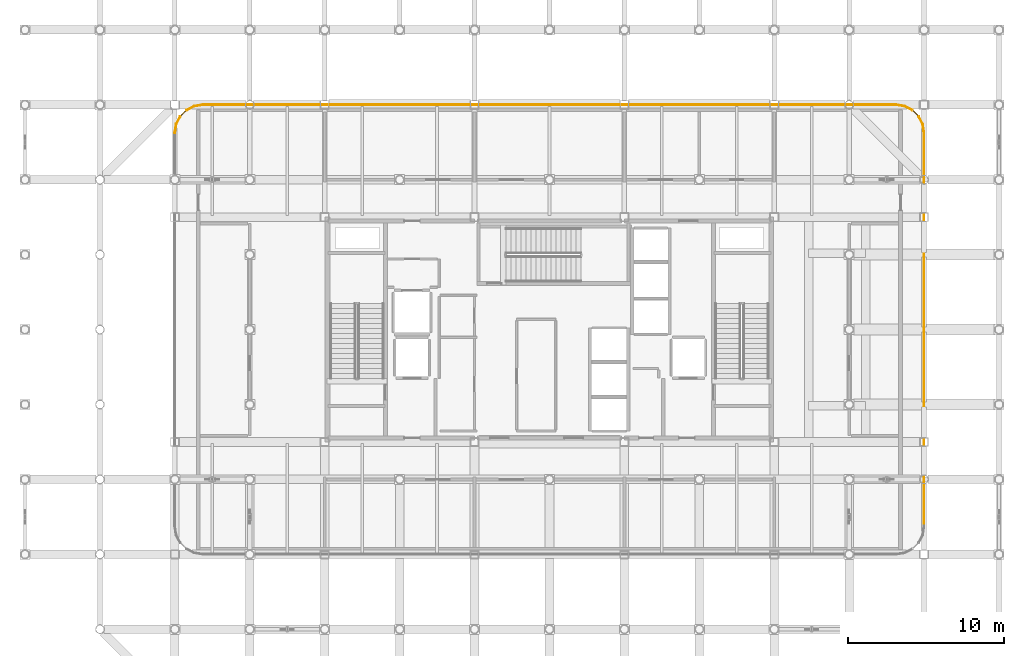
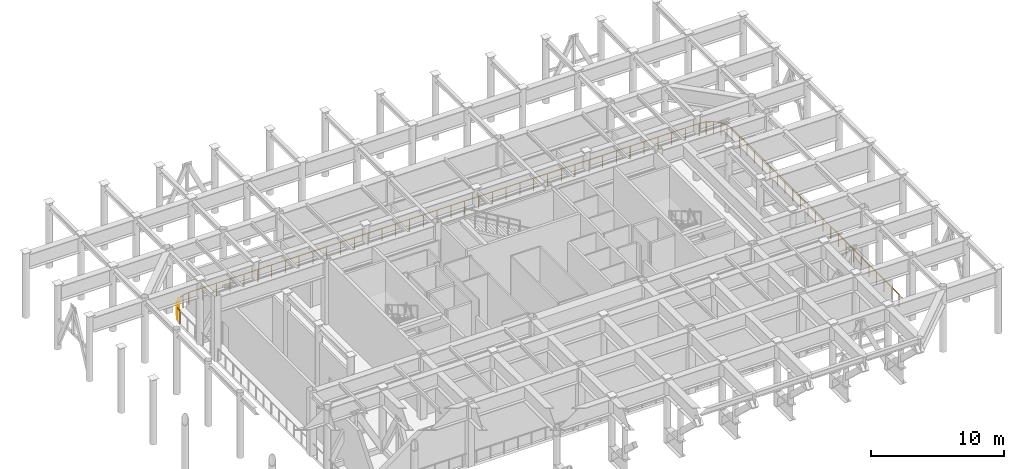
# One storey, part 20 of 20: 12 railings.
"""IFC4 building model written with IfcOpenShell, lengths in metres."""

from ifc_helpers import new_model, si_unit, direction, frame, origin, origin_2d, place, context, subcontext, project, spatial, circle, extrude, material, layer, layer_set, type_object, element, save


model = new_model("IFC4")

# Units and contexts
model_context = context("Model", 3, precision=1e-05, world=origin(), true_north=direction((0.0, 1.0)))
body_context = subcontext(model_context, "Body", "Model", "MODEL_VIEW")
ifc_project = project(units=[si_unit("LENGTHUNIT", "METRE"), si_unit("AREAUNIT", "SQUARE_METRE"), si_unit("VOLUMEUNIT", "CUBIC_METRE"), si_unit("PLANEANGLEUNIT", "RADIAN"), si_unit("MASSUNIT", "GRAM", prefix="KILO")], contexts=[model_context])

# Site, building, storey
site_placement = place(None, origin())
site = spatial("IfcSite", under=ifc_project, at=site_placement, CompositionType="ELEMENT")
building_placement = place(site_placement, origin())
building = spatial("IfcBuilding", under=site, at=building_placement, Name="Kallvorn Hotel Tower", CompositionType="ELEMENT")
storey_placement = place(building_placement, frame((0.0, 0.0, 276.199951171875)))
storey = spatial("IfcBuildingStorey", under=building, at=storey_placement, Name="L69", CompositionType="ELEMENT", Elevation=276.199951171875)

# Railings
ifc_material = material(Name="Galvanised painted steel S275JR balustrade", Category="steel")
ifc_layer = layer(ifc_material, 0.06005859375)
ifc_layer_set = layer_set([ifc_layer], Name="RL_WIND_GUARD_1150")
railing_type = type_object("IfcRailingType", Name="RL_WIND_GUARD_1150", PredefinedType="GUARDRAIL", material=ifc_layer_set)
railing_1_placement = place(storey_placement, frame((24.0, -12.60009765625, 0.0)))
element("IfcRailing", 1, at=railing_1_placement, inside=storey, type_object=railing_type, Name="L69 Exterior Safety Guardrail WIND-L69-06", PredefinedType="GUARDRAIL", context=body_context, shape_type="SweptSolid", body=[
    extrude(circle(Radius=0.02392578125, at=origin_2d()), frame((0.0, 0.0, 1.1259765625), z_axis=(0.0, 1.0, 0.0), x_axis=(-1.0, 0.0, 0.0)), (0.0, 0.0, 1.0), 25.2001953125),
    extrude(circle(Radius=0.02099609375, at=origin_2d()), origin(), (0.0, 0.0, 1.0), 1.101806640625),
    extrude(circle(Radius=0.02099609375, at=origin_2d()), frame((0.0, 1.1455078125, 0.0)), (0.0, 0.0, 1.0), 1.101806640625),
    extrude(circle(Radius=0.02099609375, at=origin_2d()), frame((0.0, 2.291015625, 0.0)), (0.0, 0.0, 1.0), 1.101806640625),
    extrude(circle(Radius=0.02099609375, at=origin_2d()), frame((0.0, 3.436279296875, 0.0)), (0.0, 0.0, 1.0), 1.101806640625),
    extrude(circle(Radius=0.02099609375, at=origin_2d()), frame((0.0, 4.581787109375, 0.0)), (0.0, 0.0, 1.0), 1.101806640625),
    extrude(circle(Radius=0.02099609375, at=origin_2d()), frame((0.0, 5.727294921875, 0.0)), (0.0, 0.0, 1.0), 1.101806640625),
    extrude(circle(Radius=0.02099609375, at=origin_2d()), frame((0.0, 6.872802734375, 0.0)), (0.0, 0.0, 1.0), 1.101806640625),
    extrude(circle(Radius=0.02099609375, at=origin_2d()), frame((0.0, 8.018310546875, 0.0)), (0.0, 0.0, 1.0), 1.101806640625),
    extrude(circle(Radius=0.02099609375, at=origin_2d()), frame((0.0, 9.163818359375, 0.0)), (0.0, 0.0, 1.0), 1.101806640625),
    extrude(circle(Radius=0.02099609375, at=origin_2d()), frame((0.0, 10.30908203125, 0.0)), (0.0, 0.0, 1.0), 1.101806640625),
    extrude(circle(Radius=0.02099609375, at=origin_2d()), frame((0.0, 11.45458984375, 0.0)), (0.0, 0.0, 1.0), 1.101806640625),
    extrude(circle(Radius=0.02099609375, at=origin_2d()), frame((0.0, 12.60009765625, 0.0)), (0.0, 0.0, 1.0), 1.101806640625),
    extrude(circle(Radius=0.02099609375, at=origin_2d()), frame((0.0, 13.74560546875, 0.0)), (0.0, 0.0, 1.0), 1.101806640625),
    extrude(circle(Radius=0.02099609375, at=origin_2d()), frame((0.0, 14.89111328125, 0.0)), (0.0, 0.0, 1.0), 1.101806640625),
    extrude(circle(Radius=0.02099609375, at=origin_2d()), frame((0.0, 16.036376953125, 0.0)), (0.0, 0.0, 1.0), 1.101806640625),
    extrude(circle(Radius=0.02099609375, at=origin_2d()), frame((0.0, 17.181884765625, 0.0)), (0.0, 0.0, 1.0), 1.101806640625),
    extrude(circle(Radius=0.02099609375, at=origin_2d()), frame((0.0, 18.327392578125, 0.0)), (0.0, 0.0, 1.0), 1.101806640625),
    extrude(circle(Radius=0.02099609375, at=origin_2d()), frame((0.0, 19.472900390625, 0.0)), (0.0, 0.0, 1.0), 1.101806640625),
    extrude(circle(Radius=0.02099609375, at=origin_2d()), frame((0.0, 20.618408203125, 0.0)), (0.0, 0.0, 1.0), 1.101806640625),
    extrude(circle(Radius=0.02099609375, at=origin_2d()), frame((0.0, 21.763916015625, 0.0)), (0.0, 0.0, 1.0), 1.101806640625),
    extrude(circle(Radius=0.02099609375, at=origin_2d()), frame((0.0, 22.9091796875, 0.0)), (0.0, 0.0, 1.0), 1.101806640625),
    extrude(circle(Radius=0.02099609375, at=origin_2d()), frame((0.0, 24.0546875, 0.0)), (0.0, 0.0, 1.0), 1.101806640625),
    extrude(circle(Radius=0.02099609375, at=origin_2d()), frame((0.0, 25.2001953125, 0.0)), (0.0, 0.0, 1.0), 1.101806640625),
])
railing_2_placement = place(storey_placement, frame((24.0, 12.60009765625, 0.0)))
element("IfcRailing", 2, at=railing_2_placement, inside=storey, type_object=railing_type, Name="L69 Exterior Safety Guardrail WIND-L69-07", PredefinedType="GUARDRAIL", context=body_context, shape_type="SweptSolid", body=[
    extrude(circle(Radius=0.02392578125, at=origin_2d()), frame((0.0, 0.0, 1.1259765625), z_axis=(-0.156519160234, 0.987674922472, 0.0), x_axis=(-0.987674922472, -0.156519160234, 0.0)), (0.0, 0.0, 1.0), 0.56298828125),
    extrude(circle(Radius=0.02099609375, at=origin_2d()), origin(), (0.0, 0.0, 1.0), 1.101806640625),
    extrude(circle(Radius=0.02099609375, at=origin_2d()), frame((-0.088134765625, 0.55615234375, 0.0)), (0.0, 0.0, 1.0), 1.101806640625),
])
railing_3_placement = place(storey_placement, frame((23.911865234375, 13.15625, 0.0)))
element("IfcRailing", 3, at=railing_3_placement, inside=storey, type_object=railing_type, Name="L69 Exterior Safety Guardrail WIND-L69-08", PredefinedType="GUARDRAIL", context=body_context, shape_type="SweptSolid", body=[
    extrude(circle(Radius=0.02392578125, at=origin_2d()), frame((0.0, 0.0, 1.1259765625), z_axis=(-0.453964752271, 0.89101964271, 0.0), x_axis=(-0.89101964271, -0.453964752271, 0.0)), (0.0, 0.0, 1.0), 0.56298828125),
    extrude(circle(Radius=0.02099609375, at=origin_2d()), origin(), (0.0, 0.0, 1.0), 1.101806640625),
    extrude(circle(Radius=0.02099609375, at=origin_2d()), frame((-0.255615234375, 0.501708984375, 0.0)), (0.0, 0.0, 1.0), 1.101806640625),
])
railing_4_placement = place(storey_placement, frame((23.65625, 13.657958984375, 0.0)))
element("IfcRailing", 4, at=railing_4_placement, inside=storey, type_object=railing_type, Name="L69 Exterior Safety Guardrail WIND-L69-09", PredefinedType="GUARDRAIL", context=body_context, shape_type="SweptSolid", body=[
    extrude(circle(Radius=0.02392578125, at=origin_2d()), frame((0.0, 0.0, 1.1259765625), z_axis=(-0.707106781187, 0.707106781187, 0.0), x_axis=(-0.707106781187, -0.707106781187, 0.0)), (0.0, 0.0, 1.0), 0.563232421875),
    extrude(circle(Radius=0.02099609375, at=origin_2d()), origin(), (0.0, 0.0, 1.0), 1.101806640625),
    extrude(circle(Radius=0.02099609375, at=origin_2d()), frame((-0.398193359375, 0.398193359375, 0.0)), (0.0, 0.0, 1.0), 1.101806640625),
])
railing_5_placement = place(storey_placement, frame((23.258056640625, 14.05615234375, 0.0)))
element("IfcRailing", 5, at=railing_5_placement, inside=storey, type_object=railing_type, Name="L69 Exterior Safety Guardrail WIND-L69-10", PredefinedType="GUARDRAIL", context=body_context, shape_type="SweptSolid", body=[
    extrude(circle(Radius=0.02392578125, at=origin_2d()), frame((0.0, 0.0, 1.1259765625), z_axis=(-0.89093365011, 0.454133494803, 0.0), x_axis=(-0.454133494803, -0.89093365011, 0.0)), (0.0, 0.0, 1.0), 0.5634765625),
    extrude(circle(Radius=0.02099609375, at=origin_2d()), origin(), (0.0, 0.0, 1.0), 1.101806640625),
    extrude(circle(Radius=0.02099609375, at=origin_2d()), frame((-0.501953125, 0.255859375, 0.0)), (0.0, 0.0, 1.0), 1.101806640625),
])
railing_6_placement = place(storey_placement, frame((22.756103515625, 14.31201171875, 0.0)))
element("IfcRailing", 6, at=railing_6_placement, inside=storey, type_object=railing_type, Name="L69 Exterior Safety Guardrail WIND-L69-11", PredefinedType="GUARDRAIL", context=body_context, shape_type="SweptSolid", body=[
    extrude(circle(Radius=0.02392578125, at=origin_2d()), frame((0.0, 0.0, 1.1259765625), z_axis=(-0.987741862218, 0.156096167866, 0.0), x_axis=(-0.156096167866, -0.987741862218, 0.0)), (0.0, 0.0, 1.0), 0.56298828125),
    extrude(circle(Radius=0.02099609375, at=origin_2d()), origin(), (0.0, 0.0, 1.0), 1.101806640625),
    extrude(circle(Radius=0.02099609375, at=origin_2d()), frame((-0.55615234375, 0.087890625, 0.0)), (0.0, 0.0, 1.0), 1.101806640625),
])
railing_7_placement = place(storey_placement, frame((22.199951171875, 14.39990234375, 0.0)))
element("IfcRailing", 7, at=railing_7_placement, inside=storey, type_object=railing_type, Name="L69 Exterior Safety Guardrail WIND-L69-12", PredefinedType="GUARDRAIL", context=body_context, shape_type="SweptSolid", body=[
    extrude(circle(Radius=0.02392578125, at=origin_2d()), frame((0.0, 0.0, 1.1259765625), z_axis=(-1.0, 0.0, 0.0), x_axis=(0.0, -1.0, 0.0)), (0.0, 0.0, 1.0), 44.39990234375),
    extrude(circle(Radius=0.02099609375, at=origin_2d()), origin(), (0.0, 0.0, 1.0), 1.101806640625),
    extrude(circle(Radius=0.02099609375, at=origin_2d()), frame((-1.199951171875, 0.0, 0.0)), (0.0, 0.0, 1.0), 1.101806640625),
    extrude(circle(Radius=0.02099609375, at=origin_2d()), frame((-2.39990234375, 0.0, 0.0)), (0.0, 0.0, 1.0), 1.101806640625),
    extrude(circle(Radius=0.02099609375, at=origin_2d()), frame((-3.60009765625, 0.0, 0.0)), (0.0, 0.0, 1.0), 1.101806640625),
    extrude(circle(Radius=0.02099609375, at=origin_2d()), frame((-4.800048828125, 0.0, 0.0)), (0.0, 0.0, 1.0), 1.101806640625),
    extrude(circle(Radius=0.02099609375, at=origin_2d()), frame((-6.0, 0.0, 0.0)), (0.0, 0.0, 1.0), 1.101806640625),
    extrude(circle(Radius=0.02099609375, at=origin_2d()), frame((-7.199951171875, 0.0, 0.0)), (0.0, 0.0, 1.0), 1.101806640625),
    extrude(circle(Radius=0.02099609375, at=origin_2d()), frame((-8.39990234375, 0.0, 0.0)), (0.0, 0.0, 1.0), 1.101806640625),
    extrude(circle(Radius=0.02099609375, at=origin_2d()), frame((-9.60009765625, 0.0, 0.0)), (0.0, 0.0, 1.0), 1.101806640625),
    extrude(circle(Radius=0.02099609375, at=origin_2d()), frame((-10.800048828125, 0.0, 0.0)), (0.0, 0.0, 1.0), 1.101806640625),
    extrude(circle(Radius=0.02099609375, at=origin_2d()), frame((-12.0, 0.0, 0.0)), (0.0, 0.0, 1.0), 1.101806640625),
    extrude(circle(Radius=0.02099609375, at=origin_2d()), frame((-13.199951171875, 0.0, 0.0)), (0.0, 0.0, 1.0), 1.101806640625),
    extrude(circle(Radius=0.02099609375, at=origin_2d()), frame((-14.39990234375, 0.0, 0.0)), (0.0, 0.0, 1.0), 1.101806640625),
    extrude(circle(Radius=0.02099609375, at=origin_2d()), frame((-15.599853515625, 0.0, 0.0)), (0.0, 0.0, 1.0), 1.101806640625),
    extrude(circle(Radius=0.02099609375, at=origin_2d()), frame((-16.800048828125, 0.0, 0.0)), (0.0, 0.0, 1.0), 1.101806640625),
    extrude(circle(Radius=0.02099609375, at=origin_2d()), frame((-18.0, 0.0, 0.0)), (0.0, 0.0, 1.0), 1.101806640625),
    extrude(circle(Radius=0.02099609375, at=origin_2d()), frame((-19.199951171875, 0.0, 0.0)), (0.0, 0.0, 1.0), 1.101806640625),
    extrude(circle(Radius=0.02099609375, at=origin_2d()), frame((-20.39990234375, 0.0, 0.0)), (0.0, 0.0, 1.0), 1.101806640625),
    extrude(circle(Radius=0.02099609375, at=origin_2d()), frame((-21.599853515625, 0.0, 0.0)), (0.0, 0.0, 1.0), 1.101806640625),
    extrude(circle(Radius=0.02099609375, at=origin_2d()), frame((-22.800048828125, 0.0, 0.0)), (0.0, 0.0, 1.0), 1.101806640625),
    extrude(circle(Radius=0.02099609375, at=origin_2d()), frame((-24.0, 0.0, 0.0)), (0.0, 0.0, 1.0), 1.101806640625),
    extrude(circle(Radius=0.02099609375, at=origin_2d()), frame((-25.199951171875, 0.0, 0.0)), (0.0, 0.0, 1.0), 1.101806640625),
    extrude(circle(Radius=0.02099609375, at=origin_2d()), frame((-26.39990234375, 0.0, 0.0)), (0.0, 0.0, 1.0), 1.101806640625),
    extrude(circle(Radius=0.02099609375, at=origin_2d()), frame((-27.599853515625, 0.0, 0.0)), (0.0, 0.0, 1.0), 1.101806640625),
    extrude(circle(Radius=0.02099609375, at=origin_2d()), frame((-28.800048828125, 0.0, 0.0)), (0.0, 0.0, 1.0), 1.101806640625),
    extrude(circle(Radius=0.02099609375, at=origin_2d()), frame((-30.0, 0.0, 0.0)), (0.0, 0.0, 1.0), 1.101806640625),
    extrude(circle(Radius=0.02099609375, at=origin_2d()), frame((-31.199951171875, 0.0, 0.0)), (0.0, 0.0, 1.0), 1.101806640625),
    extrude(circle(Radius=0.02099609375, at=origin_2d()), frame((-32.39990234375, 0.0, 0.0)), (0.0, 0.0, 1.0), 1.101806640625),
    extrude(circle(Radius=0.02099609375, at=origin_2d()), frame((-33.599853515625, 0.0, 0.0)), (0.0, 0.0, 1.0), 1.101806640625),
    extrude(circle(Radius=0.02099609375, at=origin_2d()), frame((-34.7998046875, 0.0, 0.0)), (0.0, 0.0, 1.0), 1.101806640625),
    extrude(circle(Radius=0.02099609375, at=origin_2d()), frame((-36.0, 0.0, 0.0)), (0.0, 0.0, 1.0), 1.101806640625),
    extrude(circle(Radius=0.02099609375, at=origin_2d()), frame((-37.199951171875, 0.0, 0.0)), (0.0, 0.0, 1.0), 1.101806640625),
    extrude(circle(Radius=0.02099609375, at=origin_2d()), frame((-38.39990234375, 0.0, 0.0)), (0.0, 0.0, 1.0), 1.101806640625),
    extrude(circle(Radius=0.02099609375, at=origin_2d()), frame((-39.599853515625, 0.0, 0.0)), (0.0, 0.0, 1.0), 1.101806640625),
    extrude(circle(Radius=0.02099609375, at=origin_2d()), frame((-40.7998046875, 0.0, 0.0)), (0.0, 0.0, 1.0), 1.101806640625),
    extrude(circle(Radius=0.02099609375, at=origin_2d()), frame((-42.0, 0.0, 0.0)), (0.0, 0.0, 1.0), 1.101806640625),
    extrude(circle(Radius=0.02099609375, at=origin_2d()), frame((-43.199951171875, 0.0, 0.0)), (0.0, 0.0, 1.0), 1.101806640625),
    extrude(circle(Radius=0.02099609375, at=origin_2d()), frame((-44.39990234375, 0.0, 0.0)), (0.0, 0.0, 1.0), 1.101806640625),
])
railing_8_placement = place(storey_placement, frame((-22.199951171875, 14.39990234375, 0.0)))
element("IfcRailing", 8, at=railing_8_placement, inside=storey, type_object=railing_type, Name="L69 Exterior Safety Guardrail WIND-L69-13", PredefinedType="GUARDRAIL", context=body_context, shape_type="SweptSolid", body=[
    extrude(circle(Radius=0.02392578125, at=origin_2d()), frame((0.0, 0.0, 1.1259765625), z_axis=(-0.987741862218, -0.156096167866, 0.0), x_axis=(0.156096167866, -0.987741862218, 0.0)), (0.0, 0.0, 1.0), 0.56298828125),
    extrude(circle(Radius=0.02099609375, at=origin_2d()), origin(), (0.0, 0.0, 1.0), 1.101806640625),
    extrude(circle(Radius=0.02099609375, at=origin_2d()), frame((-0.55615234375, -0.087890625, 0.0)), (0.0, 0.0, 1.0), 1.101806640625),
])
railing_9_placement = place(storey_placement, frame((-22.756103515625, 14.31201171875, 0.0)))
element("IfcRailing", 9, at=railing_9_placement, inside=storey, type_object=railing_type, Name="L69 Exterior Safety Guardrail WIND-L69-14", PredefinedType="GUARDRAIL", context=body_context, shape_type="SweptSolid", body=[
    extrude(circle(Radius=0.02392578125, at=origin_2d()), frame((0.0, 0.0, 1.1259765625), z_axis=(-0.89093365011, -0.454133494803, 0.0), x_axis=(0.454133494803, -0.89093365011, 0.0)), (0.0, 0.0, 1.0), 0.5634765625),
    extrude(circle(Radius=0.02099609375, at=origin_2d()), origin(), (0.0, 0.0, 1.0), 1.101806640625),
    extrude(circle(Radius=0.02099609375, at=origin_2d()), frame((-0.501953125, -0.255859375, 0.0)), (0.0, 0.0, 1.0), 1.101806640625),
])
railing_10_placement = place(storey_placement, frame((-23.258056640625, 14.05615234375, 0.0)))
element("IfcRailing", 10, at=railing_10_placement, inside=storey, type_object=railing_type, Name="L69 Exterior Safety Guardrail WIND-L69-15", PredefinedType="GUARDRAIL", context=body_context, shape_type="SweptSolid", body=[
    extrude(circle(Radius=0.02392578125, at=origin_2d()), frame((0.0, 0.0, 1.1259765625), z_axis=(-0.707106781187, -0.707106781187, 0.0), x_axis=(0.707106781187, -0.707106781187, 0.0)), (0.0, 0.0, 1.0), 0.563232421875),
    extrude(circle(Radius=0.02099609375, at=origin_2d()), origin(), (0.0, 0.0, 1.0), 1.101806640625),
    extrude(circle(Radius=0.02099609375, at=origin_2d()), frame((-0.398193359375, -0.398193359375, 0.0)), (0.0, 0.0, 1.0), 1.101806640625),
])
railing_11_placement = place(storey_placement, frame((-23.65625, 13.657958984375, 0.0)))
element("IfcRailing", 11, at=railing_11_placement, inside=storey, type_object=railing_type, Name="L69 Exterior Safety Guardrail WIND-L69-16", PredefinedType="GUARDRAIL", context=body_context, shape_type="SweptSolid", body=[
    extrude(circle(Radius=0.02392578125, at=origin_2d()), frame((0.0, 0.0, 1.1259765625), z_axis=(-0.453964752271, -0.89101964271, 0.0), x_axis=(0.89101964271, -0.453964752271, 0.0)), (0.0, 0.0, 1.0), 0.56298828125),
    extrude(circle(Radius=0.02099609375, at=origin_2d()), origin(), (0.0, 0.0, 1.0), 1.101806640625),
    extrude(circle(Radius=0.02099609375, at=origin_2d()), frame((-0.255615234375, -0.501708984375, 0.0)), (0.0, 0.0, 1.0), 1.101806640625),
])
railing_12_placement = place(storey_placement, frame((-23.911865234375, 13.15625, 0.0)))
element("IfcRailing", 12, at=railing_12_placement, inside=storey, type_object=railing_type, Name="L69 Exterior Safety Guardrail WIND-L69-17", PredefinedType="GUARDRAIL", context=body_context, shape_type="SweptSolid", body=[
    extrude(circle(Radius=0.02392578125, at=origin_2d()), frame((0.0, 0.0, 1.1259765625), z_axis=(-0.156519160234, -0.987674922472, 0.0), x_axis=(0.987674922472, -0.156519160234, 0.0)), (0.0, 0.0, 1.0), 0.56298828125),
    extrude(circle(Radius=0.02099609375, at=origin_2d()), origin(), (0.0, 0.0, 1.0), 1.101806640625),
    extrude(circle(Radius=0.02099609375, at=origin_2d()), frame((-0.088134765625, -0.55615234375, 0.0)), (0.0, 0.0, 1.0), 1.101806640625),
])

save(model, "model.ifc")
